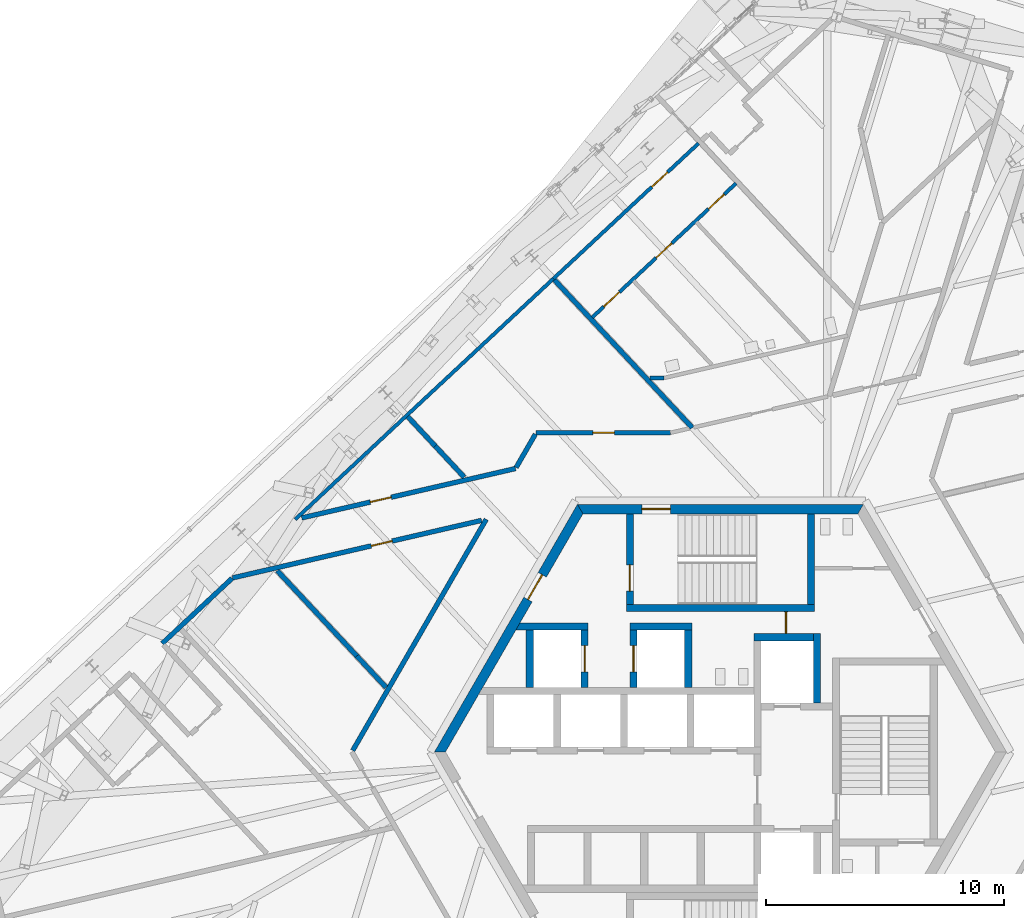
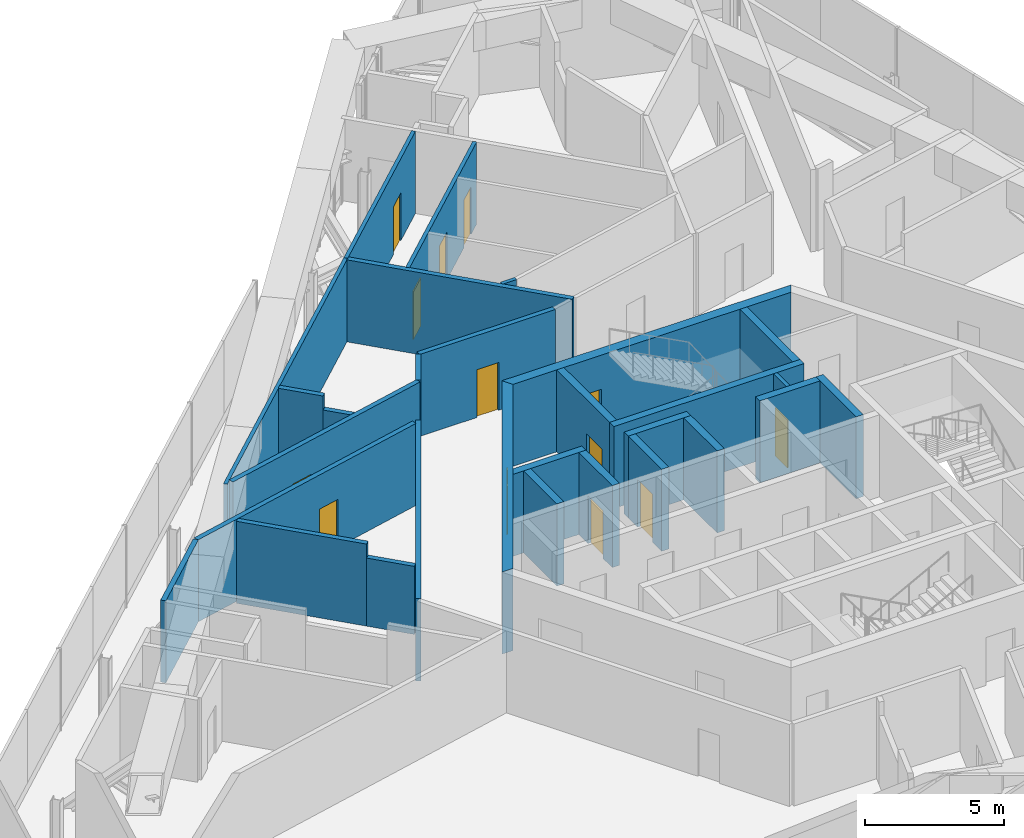
# One storey, part 20 of 31: 29 walls, 13 doors, 13 openings.
"""IFC4 building model written with IfcOpenShell, lengths in metres."""

from ifc_helpers import new_model, si_unit, direction, frame, frame_2d, origin, place, context, subcontext, project, spatial, polyline, rectangle, outline, extrude, source, transform, mapped, material, layer, layer_set, type_object, element, fill, save


model = new_model("IFC4")

# Units and contexts
model_context = context("Model", 3, precision=1e-05, world=origin(), true_north=direction((0.0, 1.0)))
body_context = subcontext(model_context, "Body", "Model", "MODEL_VIEW")
ifc_project = project(units=[si_unit("LENGTHUNIT", "METRE"), si_unit("AREAUNIT", "SQUARE_METRE"), si_unit("VOLUMEUNIT", "CUBIC_METRE"), si_unit("PLANEANGLEUNIT", "RADIAN"), si_unit("MASSUNIT", "GRAM", prefix="KILO")], contexts=[model_context])

# Site, building, storey
site_placement = place(None, origin())
site = spatial("IfcSite", under=ifc_project, at=site_placement, CompositionType="ELEMENT")
building_placement = place(site_placement, origin())
building = spatial("IfcBuilding", under=site, at=building_placement, Name="Triune Harvest Tower", CompositionType="ELEMENT")
storey_placement = place(building_placement, frame((0.0, 0.0, 134.300048828125)))
storey = spatial("IfcBuildingStorey", under=building, at=storey_placement, Name="L34", CompositionType="ELEMENT", Elevation=134.300048828125)

# Wall, opening, door
ifc_material_1 = material(Name="Concrete masonry unit", Category="masonry")
ifc_layer_1 = layer(ifc_material_1, 0.14990234375)
ifc_layer_set_1 = layer_set([ifc_layer_1], Name="Concrete masonry unit")
wall_type_1 = type_object("IfcWallType", Name="Block partition 150 unrated", PredefinedType="PARTITIONING", material=ifc_layer_set_1)
wall_1_placement = place(storey_placement, frame((2.75, 4.9599609375, 0.0), z_axis=(0.0, 0.0, 1.0), x_axis=(0.0, 1.0, 0.0)))
wall_1 = element("IfcWall", 1, at=wall_1_placement, inside=storey, type_object=wall_type_1, Name="Wc men east b wall", PredefinedType="PARTITIONING", context=body_context, shape_type="SweptSolid", body=[
    extrude(rectangle(XDim=0.929931640625, YDim=0.14990234375, at=frame_2d((0.46484375, 0.0))), origin(), (0.0, 0.0, 1.0), 3.599853515625),
])
opening_1_placement = place(wall_1_placement, frame((0.014892578125, 0.0, 0.0)))
opening_1 = element("IfcOpeningElement", 2, at=opening_1_placement, cuts=wall_1, Name="Opening CD-WM", PredefinedType="OPENING", context=body_context, shape_type="SweptSolid", body=[
    extrude(rectangle(XDim=0.89990234375, YDim=2.10009765625, at=frame_2d((0.449951171875, 1.050048828125))), frame((0.0, 0.0849609375, 0.0), z_axis=(0.0, -1.0, 0.0), x_axis=(1.0, 0.0, 0.0)), (0.0, 0.0, 1.0), 0.169921875),
])
ifc_material_2 = material(Name="Timber C24", Category="wood")
door_type_1 = type_object("IfcDoorType", Name="WC door 900", OperationType="SINGLE_SWING_LEFT", PredefinedType="DOOR", material=ifc_material_2)
door_1_placement = place(opening_1_placement, origin())
door_1 = element("IfcDoor", 3, at=door_1_placement, inside=storey, type_object=door_type_1, Name="Door CD-WM", OperationType="SINGLE_SWING_LEFT", OverallHeight=2.10009765625, OverallWidth=0.89990234375, PredefinedType="DOOR", context=body_context, shape_type="SweptSolid", body=[
    extrude(rectangle(XDim=0.89990234375, YDim=2.10009765625, at=frame_2d((0.449951171875, 1.050048828125))), frame((0.0, 0.02490234375, 0.0), z_axis=(0.0, -1.0, 0.0), x_axis=(1.0, 0.0, 0.0)), (0.0, 0.0, 1.0), 0.050048828125),
])
fill(opening_1, door_1)

# Walls
ifc_material_3 = material(Name="Concrete 70 MPa", Category="concrete")
ifc_layer_2 = layer(ifc_material_3, 0.300048828125)
ifc_layer_set_2 = layer_set([ifc_layer_2], Name="Concrete 70 MPa")
wall_type_2 = type_object("IfcWallType", Name="Core wall 300", PredefinedType="SHEAR", material=ifc_layer_set_2)
wall_2_placement = place(storey_placement, frame((4.050048828125, 2.06005859375, 0.0), z_axis=(0.0, 0.0, 1.0), x_axis=(0.0, 1.0, 0.0)))
element("IfcWall", 4, at=wall_2_placement, inside=storey, type_object=wall_type_2, Name="Ff1 east wall", PredefinedType="SHEAR", context=body_context, shape_type="SweptSolid", body=[
    extrude(rectangle(XDim=2.89990234375, YDim=0.300048828125, at=frame_2d((1.449951171875, 0.0))), origin(), (0.0, 0.0, 1.0), 3.599853515625),
])
wall_3_placement = place(storey_placement, frame((-3.949951171875, 6.0400390625, 0.0), z_axis=(0.0, 0.0, 1.0), x_axis=(1.0, 0.0, 0.0)))
element("IfcWall", 5, at=wall_3_placement, inside=storey, type_object=wall_type_2, Name="Stair n south wall", PredefinedType="SHEAR", context=body_context, shape_type="SweptSolid", body=[
    extrude(rectangle(XDim=7.89990234375, YDim=0.300048828125, at=frame_2d((3.949951171875, 0.0))), origin(), (0.0, 0.0, 1.0), 3.599853515625),
])
wall_4_placement = place(storey_placement, frame((-8.14990234375, 5.260009765625, 0.0), z_axis=(0.0, 0.0, 1.0), x_axis=(1.0, 0.0, 0.0)))
element("IfcWall", 6, at=wall_4_placement, inside=storey, type_object=wall_type_2, Name="Sv1 north wall", PredefinedType="SHEAR", context=body_context, shape_type="SweptSolid", body=[
    extrude(outline(polyline([(2.60009765625, -0.14990234375), (-0.440185546875, -0.14990234375), (-0.26708984375, 0.14990234375), (2.60009765625, 0.14990234375), (2.60009765625, -0.14990234375)])), origin(), (0.0, 0.0, 1.0), 3.599853515625),
])
wall_5_placement = place(storey_placement, frame((-3.800048828125, 5.260009765625, 0.0), z_axis=(0.0, 0.0, 1.0), x_axis=(1.0, 0.0, 0.0)))
element("IfcWall", 7, at=wall_5_placement, inside=storey, type_object=wall_type_2, Name="Sv2 north wall", PredefinedType="SHEAR", context=body_context, shape_type="SweptSolid", body=[
    extrude(rectangle(XDim=2.60009765625, YDim=0.300048828125, at=frame_2d((1.300048828125, 0.0))), origin(), (0.0, 0.0, 1.0), 3.599853515625),
])
ifc_material_4 = material(Name="Gypsum board on steel studs", Category="steel")
ifc_layer_3 = layer(ifc_material_4, 0.14990234375)
ifc_layer_set_3 = layer_set([ifc_layer_3], Name="Gypsum board on steel studs")
wall_type_3 = type_object("IfcWallType", Name="Fire Partition 150 mm", PredefinedType="PARTITIONING", material=ifc_layer_set_3)
wall_6_placement = place(storey_placement, frame((-2.947998046875, 15.6923828125, 0.0), z_axis=(0.0, 0.0, 1.0), x_axis=(1.0, 0.0, 0.0)))
element("IfcWall", 8, at=wall_6_placement, inside=storey, type_object=wall_type_3, Name="Partition L34 032", PredefinedType="PARTITIONING", context=body_context, shape_type="SweptSolid", body=[
    extrude(rectangle(XDim=0.585205078125, YDim=0.14990234375, at=frame_2d((0.29248046875, 0.0))), origin(), (0.0, 0.0, 1.0), 3.599853515625),
])

# Wall, openings, doors
wall_7_placement = place(storey_placement, frame((-5.38427734375, 18.2294921875, 0.0), z_axis=(0.0, 0.0, 1.0), x_axis=(0.731358135284, 0.681993605508, 0.0)))
wall_7 = element("IfcWall", 9, at=wall_7_placement, inside=storey, type_object=wall_type_3, Name="Partition L34 052", PredefinedType="PARTITIONING", context=body_context, shape_type="SweptSolid", body=[
    extrude(rectangle(XDim=8.25439453125, YDim=0.14990234375, at=frame_2d((4.127197265625, 0.0))), origin(), (0.0, 0.0, 1.0), 3.599853515625),
])
opening_2_placement = place(wall_7_placement, frame((6.678466796875, 0.0, 0.0)))
opening_2 = element("IfcOpeningElement", 10, at=opening_2_placement, cuts=wall_7, Name="Opening L34-011", PredefinedType="OPENING", context=body_context, shape_type="SweptSolid", body=[
    extrude(rectangle(XDim=0.89990234375, YDim=2.10009765625, at=frame_2d((0.449951171875, 1.050048828125))), frame((0.0, 0.0849609375, 0.0), z_axis=(0.0, -1.0, 0.0), x_axis=(1.0, 0.0, 0.0)), (0.0, 0.0, 1.0), 0.169921875),
])
opening_3_placement = place(wall_7_placement, frame((3.669921875, 0.0, 0.0)))
opening_3 = element("IfcOpeningElement", 11, at=opening_3_placement, cuts=wall_7, Name="Opening L34-012", PredefinedType="OPENING", context=body_context, shape_type="SweptSolid", body=[
    extrude(rectangle(XDim=0.89990234375, YDim=2.10009765625, at=frame_2d((0.449951171875, 1.050048828125))), frame((0.0, 0.0849609375, 0.0), z_axis=(0.0, -1.0, 0.0), x_axis=(1.0, 0.0, 0.0)), (0.0, 0.0, 1.0), 0.169921875),
])
opening_4_placement = place(wall_7_placement, frame((0.669921875, 0.0, 0.0)))
opening_4 = element("IfcOpeningElement", 12, at=opening_4_placement, cuts=wall_7, Name="Opening L34-013", PredefinedType="OPENING", context=body_context, shape_type="SweptSolid", body=[
    extrude(rectangle(XDim=0.89990234375, YDim=2.10009765625, at=frame_2d((0.449951171875, 1.050048828125))), frame((0.0, 0.0849609375, 0.0), z_axis=(0.0, -1.0, 0.0), x_axis=(1.0, 0.0, 0.0)), (0.0, 0.0, 1.0), 0.169921875),
])
ifc_material_5 = material(Name="Timber and steel door set", Category="steel")
door_type_2 = type_object("IfcDoorType", Name="Single leaf door FD30 left hand 900 x 2100", OperationType="SINGLE_SWING_LEFT", PredefinedType="DOOR", material=ifc_material_5)
door_2_placement = place(opening_2_placement, origin())
door_2 = element("IfcDoor", 13, at=door_2_placement, inside=storey, type_object=door_type_2, Name="Door L34-011 Women's WC 34.11", OperationType="SINGLE_SWING_LEFT", OverallHeight=2.10009765625, OverallWidth=0.89990234375, PredefinedType="DOOR", context=body_context, shape_type="SweptSolid", body=[
    extrude(rectangle(XDim=0.89990234375, YDim=2.10009765625, at=frame_2d((0.449951171875, 1.050048828125))), frame((0.0, 0.02490234375, 0.0), z_axis=(0.0, -1.0, 0.0), x_axis=(1.0, 0.0, 0.0)), (0.0, 0.0, 1.0), 0.050048828125),
])
fill(opening_2, door_2)
ifc_material_6 = material(Name="Timber and steel door set", Category="steel")
door_type_3 = type_object("IfcDoorType", Name="Single leaf door FD30 right hand 900 x 2100", OperationType="SINGLE_SWING_RIGHT", PredefinedType="DOOR", material=ifc_material_6)
door_3_placement = place(opening_3_placement, origin())
door_3 = element("IfcDoor", 14, at=door_3_placement, inside=storey, type_object=door_type_3, Name="Door L34-012 Men's WC 34.12", OperationType="SINGLE_SWING_RIGHT", OverallHeight=2.10009765625, OverallWidth=0.89990234375, PredefinedType="DOOR", context=body_context, shape_type="SweptSolid", body=[
    extrude(rectangle(XDim=0.89990234375, YDim=2.10009765625, at=frame_2d((0.449951171875, 1.050048828125))), frame((0.0, 0.02490234375, 0.0), z_axis=(0.0, -1.0, 0.0), x_axis=(1.0, 0.0, 0.0)), (0.0, 0.0, 1.0), 0.050048828125),
])
fill(opening_3, door_3)
door_4_placement = place(opening_4_placement, origin())
door_4 = element("IfcDoor", 15, at=door_4_placement, inside=storey, type_object=door_type_3, Name="Door L34-013 Accessible WC 34.13", OperationType="SINGLE_SWING_RIGHT", OverallHeight=2.10009765625, OverallWidth=0.89990234375, PredefinedType="DOOR", context=body_context, shape_type="SweptSolid", body=[
    extrude(rectangle(XDim=0.89990234375, YDim=2.10009765625, at=frame_2d((0.449951171875, 1.050048828125))), frame((0.0, 0.02490234375, 0.0), z_axis=(0.0, -1.0, 0.0), x_axis=(1.0, 0.0, 0.0)), (0.0, 0.0, 1.0), 0.050048828125),
])
fill(opening_4, door_4)

# Wall
wall_8_placement = place(storey_placement, frame((-17.8408203125, 9.75830078125, 0.0), z_axis=(0.0, 0.0, 1.0), x_axis=(0.731353408182, 0.681998674735, 0.0)))
element("IfcWall", 16, at=wall_8_placement, inside=storey, type_object=wall_type_3, Name="Partition L34 056", PredefinedType="PARTITIONING", context=body_context, shape_type="SweptSolid", body=[
    extrude(rectangle(XDim=14.810302734375, YDim=0.14990234375, at=frame_2d((7.4052734375, 0.0))), origin(), (0.0, 0.0, 1.0), 3.599853515625),
])

# Wall, opening, door
wall_9_placement = place(storey_placement, frame((-7.00927734375, 19.85888671875, 0.0), z_axis=(0.0, 0.0, 1.0), x_axis=(0.731353430588, 0.681998650708, 0.0)))
wall_9 = element("IfcWall", 17, at=wall_9_placement, inside=storey, type_object=wall_type_3, Name="Partition L34 057", PredefinedType="PARTITIONING", context=body_context, shape_type="SweptSolid", body=[
    extrude(rectangle(XDim=8.330078125, YDim=0.14990234375, at=frame_2d((4.1650390625, 0.0))), origin(), (0.0, 0.0, 1.0), 3.599853515625),
])
opening_5_placement = place(wall_9_placement, frame((5.64697265625, 0.0, 0.0)))
opening_5 = element("IfcOpeningElement", 18, at=opening_5_placement, cuts=wall_9, Name="Opening L34-010", PredefinedType="OPENING", context=body_context, shape_type="SweptSolid", body=[
    extrude(rectangle(XDim=0.89990234375, YDim=2.10009765625, at=frame_2d((0.449951171875, 1.050048828125))), frame((0.0, 0.0849609375, 0.0), z_axis=(0.0, -1.0, 0.0), x_axis=(1.0, 0.0, 0.0)), (0.0, 0.0, 1.0), 0.169921875),
])
door_5_placement = place(opening_5_placement, origin())
door_5 = element("IfcDoor", 19, at=door_5_placement, inside=storey, type_object=door_type_2, Name="Door L34-010 WC lobby 34.10", OperationType="SINGLE_SWING_LEFT", OverallHeight=2.10009765625, OverallWidth=0.89990234375, PredefinedType="DOOR", context=body_context, shape_type="SweptSolid", body=[
    extrude(rectangle(XDim=0.89990234375, YDim=2.10009765625, at=frame_2d((0.449951171875, 1.050048828125))), frame((0.0, 0.02490234375, 0.0), z_axis=(0.0, -1.0, 0.0), x_axis=(1.0, 0.0, 0.0)), (0.0, 0.0, 1.0), 0.050048828125),
])
fill(opening_5, door_5)

# Walls
ifc_material_7 = material(Name="Gypsum board on steel studs", Category="steel")
ifc_layer_4 = layer(ifc_material_7, 0.199951171875)
ifc_layer_set_4 = layer_set([ifc_layer_4], Name="Gypsum board on steel studs")
wall_type_4 = type_object("IfcWallType", Name="Fire Wall 200 mm", PredefinedType="PARTITIONING", material=ifc_layer_set_4)
wall_10_placement = place(storey_placement, frame((-18.595703125, 7.603515625, 0.0), z_axis=(0.0, 0.0, 1.0), x_axis=(0.681996658711, -0.731355288152, 0.0)))
element("IfcWall", 20, at=wall_10_placement, inside=storey, type_object=wall_type_4, Name="Partition L34 014", PredefinedType="PARTITIONING", context=body_context, shape_type="SweptSolid", body=[
    extrude(rectangle(XDim=4.896728515625, YDim=0.199951171875, at=frame_2d((2.4482421875, 0.0))), origin(), (0.0, 0.0, 1.0), 3.599853515625),
])
wall_11_placement = place(storey_placement, frame((-15.256103515625, 4.022216796875, 0.0), z_axis=(0.0, 0.0, 1.0), x_axis=(0.682056485414, -0.731299494533, 0.0)))
element("IfcWall", 21, at=wall_11_placement, inside=storey, type_object=wall_type_4, Name="Partition L34 014a", PredefinedType="PARTITIONING", context=body_context, shape_type="SweptSolid", body=[
    extrude(rectangle(XDim=1.794677734375, YDim=0.199951171875, at=frame_2d((0.8974609375, 0.0))), origin(), (0.0, 0.0, 1.0), 2.98779296875),
])
wall_12_placement = place(storey_placement, frame((-13.12451171875, 14.074462890625, 0.0), z_axis=(0.0, 0.0, 1.0), x_axis=(0.681983769469, -0.731367307296, 0.0)))
element("IfcWall", 22, at=wall_12_placement, inside=storey, type_object=wall_type_4, Name="Partition L34 015", PredefinedType="PARTITIONING", context=body_context, shape_type="SweptSolid", body=[
    extrude(rectangle(XDim=1.690673828125, YDim=0.199951171875, at=frame_2d((0.84521484375, 0.0))), origin(), (0.0, 0.0, 1.0), 3.599853515625),
])
wall_13_placement = place(storey_placement, frame((-11.971435546875, 12.837890625, 0.0), z_axis=(0.0, 0.0, 1.0), x_axis=(0.68206066417, -0.731295597137, 0.0)))
element("IfcWall", 23, at=wall_13_placement, inside=storey, type_object=wall_type_4, Name="Partition L34 015a", PredefinedType="PARTITIONING", context=body_context, shape_type="SweptSolid", body=[
    extrude(rectangle(XDim=1.7900390625, YDim=0.199951171875, at=frame_2d((0.89501953125, 0.0))), origin(), (0.0, 0.0, 1.0), 2.98779296875),
])
wall_14_placement = place(storey_placement, frame((-6.970703125, 19.81298828125, 0.0), z_axis=(0.0, 0.0, 1.0), x_axis=(0.681985151415, -0.73136601866, 0.0)))
element("IfcWall", 24, at=wall_14_placement, inside=storey, type_object=wall_type_4, Name="Partition L34 017", PredefinedType="PARTITIONING", context=body_context, shape_type="SweptSolid", body=[
    extrude(rectangle(XDim=8.489013671875, YDim=0.199951171875, at=frame_2d((4.24462890625, 0.0))), origin(), (0.0, 0.0, 1.0), 3.599853515625),
])

# Wall, opening, door
wall_15_placement = place(storey_placement, frame((-7.732177734375, 13.392333984375, 0.0), z_axis=(0.0, 0.0, 1.0), x_axis=(1.0, 0.0, 0.0)))
wall_15 = element("IfcWall", 25, at=wall_15_placement, inside=storey, type_object=wall_type_4, Name="Partition L34 031", PredefinedType="PARTITIONING", context=body_context, shape_type="SweptSolid", body=[
    extrude(rectangle(XDim=5.631591796875, YDim=0.199951171875, at=frame_2d((2.81591796875, 0.0))), origin(), (0.0, 0.0, 1.0), 3.599853515625),
])
opening_6_placement = place(wall_15_placement, frame((2.38134765625, 0.0, 0.0)))
opening_6 = element("IfcOpeningElement", 26, at=opening_6_placement, cuts=wall_15, Name="Opening L34-015", PredefinedType="OPENING", context=body_context, shape_type="SweptSolid", body=[
    extrude(rectangle(XDim=0.89990234375, YDim=2.10009765625, at=frame_2d((0.449951171875, 1.050048828125))), frame((0.0, 0.10986328125, 0.0), z_axis=(0.0, -1.0, 0.0), x_axis=(1.0, 0.0, 0.0)), (0.0, 0.0, 1.0), 0.219970703125),
])
ifc_material_8 = material(Name="Timber and steel door set", Category="steel")
door_type_4 = type_object("IfcDoorType", Name="Single leaf door FD60 right hand 900 x 2100", OperationType="SINGLE_SWING_RIGHT", PredefinedType="DOOR", material=ifc_material_8)
door_6_placement = place(opening_6_placement, origin())
door_6 = element("IfcDoor", 27, at=door_6_placement, inside=storey, type_object=door_type_4, Name="Door L34-015 Air Handling Plant Room 34.15", OperationType="SINGLE_SWING_RIGHT", OverallHeight=2.10009765625, OverallWidth=0.89990234375, PredefinedType="DOOR", context=body_context, shape_type="SweptSolid", body=[
    extrude(rectangle(XDim=0.89990234375, YDim=2.10009765625, at=frame_2d((0.449951171875, 1.050048828125))), frame((0.0, 0.02490234375, 0.0), z_axis=(0.0, -1.0, 0.0), x_axis=(1.0, 0.0, 0.0)), (0.0, 0.0, 1.0), 0.050048828125),
])
fill(opening_6, door_6)

wall_16_placement = place(storey_placement, frame((-20.4736328125, 7.30322265625, 0.0), z_axis=(0.0, 0.0, 1.0), x_axis=(0.974370474182, 0.224949281045, 0.0)))
wall_16 = element("IfcWall", 28, at=wall_16_placement, inside=storey, type_object=wall_type_4, Name="Partition L34 039", PredefinedType="PARTITIONING", context=body_context, shape_type="SweptSolid", body=[
    extrude(rectangle(XDim=10.72509765625, YDim=0.199951171875, at=frame_2d((5.362548828125, 0.0))), origin(), (0.0, 0.0, 1.0), 3.599853515625),
])
opening_7_placement = place(wall_16_placement, frame((5.972412109375, 0.0, 0.0)))
opening_7 = element("IfcOpeningElement", 29, at=opening_7_placement, cuts=wall_16, Name="Opening L34-016", PredefinedType="OPENING", context=body_context, shape_type="SweptSolid", body=[
    extrude(rectangle(XDim=0.89990234375, YDim=2.10009765625, at=frame_2d((0.449951171875, 1.050048828125))), frame((0.0, 0.10986328125, 0.0), z_axis=(0.0, -1.0, 0.0), x_axis=(1.0, 0.0, 0.0)), (0.0, 0.0, 1.0), 0.219970703125),
])
ifc_material_9 = material(Name="Timber and steel door set", Category="steel")
door_type_5 = type_object("IfcDoorType", Name="Single leaf door FD60 left hand 900 x 2100", OperationType="SINGLE_SWING_LEFT", PredefinedType="DOOR", material=ifc_material_9)
door_7_placement = place(opening_7_placement, origin())
door_7 = element("IfcDoor", 30, at=door_7_placement, inside=storey, type_object=door_type_5, Name="Door L34-016 Stair Pressurisation Fan Room 34.16", OperationType="SINGLE_SWING_LEFT", OverallHeight=2.10009765625, OverallWidth=0.89990234375, PredefinedType="DOOR", context=body_context, shape_type="SweptSolid", body=[
    extrude(rectangle(XDim=0.89990234375, YDim=2.10009765625, at=frame_2d((0.449951171875, 1.050048828125))), frame((0.0, 0.02490234375, 0.0), z_axis=(0.0, -1.0, 0.0), x_axis=(1.0, 0.0, 0.0)), (0.0, 0.0, 1.0), 0.050048828125),
])
fill(opening_7, door_7)

wall_17_placement = place(storey_placement, frame((-17.56787109375, 9.821533203125, 0.0), z_axis=(0.0, 0.0, 1.0), x_axis=(0.974371972572, 0.224942790652, 0.0)))
wall_17 = element("IfcWall", 31, at=wall_17_placement, inside=storey, type_object=wall_type_4, Name="Partition L34 041", PredefinedType="PARTITIONING", context=body_context, shape_type="SweptSolid", body=[
    extrude(rectangle(XDim=9.205810546875, YDim=0.199951171875, at=frame_2d((4.60302734375, 0.0))), origin(), (0.0, 0.0, 1.0), 3.599853515625),
])
opening_8_placement = place(wall_17_placement, frame((2.951416015625, 0.0, 0.0)))
opening_8 = element("IfcOpeningElement", 32, at=opening_8_placement, cuts=wall_17, Name="Opening L34-017", PredefinedType="OPENING", context=body_context, shape_type="SweptSolid", body=[
    extrude(rectangle(XDim=0.89990234375, YDim=2.10009765625, at=frame_2d((0.449951171875, 1.050048828125))), frame((0.0, 0.10986328125, 0.0), z_axis=(0.0, -1.0, 0.0), x_axis=(1.0, 0.0, 0.0)), (0.0, 0.0, 1.0), 0.219970703125),
])
door_8_placement = place(opening_8_placement, origin())
door_8 = element("IfcDoor", 33, at=door_8_placement, inside=storey, type_object=door_type_5, Name="Door L34-017 Switch Room 34.17", OperationType="SINGLE_SWING_LEFT", OverallHeight=2.10009765625, OverallWidth=0.89990234375, PredefinedType="DOOR", context=body_context, shape_type="SweptSolid", body=[
    extrude(rectangle(XDim=0.89990234375, YDim=2.10009765625, at=frame_2d((0.449951171875, 1.050048828125))), frame((0.0, 0.02490234375, 0.0), z_axis=(0.0, -1.0, 0.0), x_axis=(1.0, 0.0, 0.0)), (0.0, 0.0, 1.0), 0.050048828125),
])
fill(opening_8, door_8)

# Walls
wall_18_placement = place(storey_placement, frame((-23.425048828125, 4.55078125, 0.0), z_axis=(0.0, 0.0, 1.0), x_axis=(0.731330855855, 0.682022858323, 0.0)))
element("IfcWall", 34, at=wall_18_placement, inside=storey, type_object=wall_type_4, Name="Partition L34 055", PredefinedType="PARTITIONING", context=body_context, shape_type="SweptSolid", body=[
    extrude(rectangle(XDim=4.005615234375, YDim=0.199951171875, at=frame_2d((2.0029296875, 0.0))), origin(), (0.0, 0.0, 1.0), 3.599853515625),
])
wall_19_placement = place(storey_placement, frame((-15.42919921875, 0.060302734375, 0.0), z_axis=(0.0, 0.0, 1.0), x_axis=(0.500002317265, 0.866024065907, 0.0)))
element("IfcWall", 35, at=wall_19_placement, inside=storey, type_object=wall_type_4, Name="Partition L34 061", PredefinedType="PARTITIONING", context=body_context, shape_type="SweptSolid", body=[
    extrude(rectangle(XDim=11.201171875, YDim=0.199951171875, at=frame_2d((5.6005859375, 0.0))), origin(), (0.0, 0.0, 1.0), 3.599853515625),
])
wall_20_placement = place(storey_placement, frame((-8.572998046875, 11.935791015625, 0.0), z_axis=(0.0, 0.0, 1.0), x_axis=(0.500015196914, 0.866016629664, 0.0)))
element("IfcWall", 36, at=wall_20_placement, inside=storey, type_object=wall_type_4, Name="Partition L34 062", PredefinedType="PARTITIONING", context=body_context, shape_type="SweptSolid", body=[
    extrude(rectangle(XDim=1.6123046875, YDim=0.199951171875, at=frame_2d((0.80615234375, 0.0))), origin(), (0.0, 0.0, 1.0), 3.599853515625),
])

# Wall, opening, door
ifc_material_10 = material(Name="Concrete 70 MPa", Category="concrete")
ifc_layer_5 = layer(ifc_material_10, 0.39990234375)
ifc_layer_set_5 = layer_set([ifc_layer_5], Name="Concrete 70 MPa")
wall_type_5 = type_object("IfcWallType", Name="Core wall 400", PredefinedType="SHEAR", material=ifc_layer_set_5)
shared_shape_1 = source(origin(), body_context, "Body", "SweptSolid", [
    extrude(outline(polyline([(-0.115478515625, -0.199951171875), (11.884521484375, -0.199951171875), (11.653564453125, 0.199951171875), (0.115478515625, 0.199951171875), (-0.115478515625, -0.199951171875)])), origin(), (0.0, 0.0, 1.0), 3.599853515625),
])
wall_21_placement = place(storey_placement, frame((5.884521484375, 10.1923828125, 0.0), z_axis=(0.0, 0.0, 1.0), x_axis=(-1.0, 0.0, 0.0)))
wall_21 = element("IfcWall", 37, at=wall_21_placement, inside=storey, type_object=wall_type_5, Name="Hexagon 1 wall", PredefinedType="SHEAR", context=body_context, shape_type="MappedRepresentation", body=[
    mapped(shared_shape_1, transform((0.0, 0.0, 0.0), scale=1.0)),
])
opening_9_placement = place(wall_21_placement, frame((7.984619140625, 0.0, 0.0)))
opening_9 = element("IfcOpeningElement", 38, at=opening_9_placement, cuts=wall_21, Name="Opening CD-S1P", PredefinedType="OPENING", context=body_context, shape_type="SweptSolid", body=[
    extrude(rectangle(XDim=1.199951171875, YDim=2.10009765625, at=frame_2d((0.60009765625, 1.050048828125))), frame((0.0, 0.2099609375, 0.0), z_axis=(0.0, -1.0, 0.0), x_axis=(1.0, 0.0, 0.0)), (0.0, 0.0, 1.0), 0.419921875),
])
ifc_material_11 = material(Name="Steel S235", Category="steel")
door_type_6 = type_object("IfcDoorType", Name="Stair door 1200 FD120", OperationType="SINGLE_SWING_LEFT", PredefinedType="DOOR", material=ifc_material_11)
door_9_placement = place(opening_9_placement, frame((1.199951171875, 0.0, 0.0), z_axis=(0.0, 0.0, 1.0), x_axis=(-1.0, 0.0, 0.0)))
door_9 = element("IfcDoor", 39, at=door_9_placement, inside=storey, type_object=door_type_6, Name="Door CD-S1P", OperationType="SINGLE_SWING_RIGHT", OverallHeight=2.10009765625, OverallWidth=1.199951171875, PredefinedType="DOOR", context=body_context, shape_type="SweptSolid", body=[
    extrude(rectangle(XDim=1.199951171875, YDim=2.10009765625, at=frame_2d((0.60009765625, 1.050048828125))), frame((0.0, 0.02490234375, 0.0), z_axis=(0.0, -1.0, 0.0), x_axis=(1.0, 0.0, 0.0)), (0.0, 0.0, 1.0), 0.050048828125),
])
fill(opening_9, door_9)

wall_22_placement = place(storey_placement, frame((-5.884521484375, 10.1923828125, 0.0), z_axis=(0.0, 0.0, 1.0), x_axis=(-0.499996592174, -0.866027371285, 0.0)))
wall_22 = element("IfcWall", 40, at=wall_22_placement, inside=storey, type_object=wall_type_5, Name="Hexagon 2 wall", PredefinedType="SHEAR", context=body_context, shape_type="MappedRepresentation", body=[
    mapped(shared_shape_1, transform((0.0, 0.0, 0.0), scale=1.0)),
])
opening_10_placement = place(wall_22_placement, frame((3.1845703125, 0.0, 0.0)))
opening_10 = element("IfcOpeningElement", 41, at=opening_10_placement, cuts=wall_22, Name="Opening CD-SVP", PredefinedType="OPENING", context=body_context, shape_type="SweptSolid", body=[
    extrude(rectangle(XDim=1.199951171875, YDim=2.10009765625, at=frame_2d((0.60009765625, 1.050048828125))), frame((0.0, 0.2099609375, 0.0), z_axis=(0.0, -1.0, 0.0), x_axis=(1.0, 0.0, 0.0)), (0.0, 0.0, 1.0), 0.419921875),
])
ifc_material_12 = material(Name="Steel S235", Category="steel")
door_type_7 = type_object("IfcDoorType", Name="Service door 1200 FD120", OperationType="SINGLE_SWING_LEFT", PredefinedType="DOOR", material=ifc_material_12)
door_10_placement = place(opening_10_placement, frame((1.199951171875, 0.0, 0.0), z_axis=(0.0, 0.0, 1.0), x_axis=(-1.0, 0.0, 0.0)))
door_10 = element("IfcDoor", 42, at=door_10_placement, inside=storey, type_object=door_type_7, Name="Door CD-SVP", OperationType="SINGLE_SWING_RIGHT", OverallHeight=2.10009765625, OverallWidth=1.199951171875, PredefinedType="DOOR", context=body_context, shape_type="SweptSolid", body=[
    extrude(rectangle(XDim=1.199951171875, YDim=2.10009765625, at=frame_2d((0.60009765625, 1.050048828125))), frame((0.0, 0.02490234375, 0.0), z_axis=(0.0, -1.0, 0.0), x_axis=(1.0, 0.0, 0.0)), (0.0, 0.0, 1.0), 0.050048828125),
])
fill(opening_10, door_10)

# Wall
shared_shape_2 = source(origin(), body_context, "Body", "SweptSolid", [
    extrude(rectangle(XDim=2.5, YDim=0.300048828125, at=frame_2d((1.25, 0.0))), origin(), (0.0, 0.0, 1.0), 3.599853515625),
])
wall_23_placement = place(storey_placement, frame((1.39990234375, 4.81005859375, 0.0), z_axis=(0.0, 0.0, 1.0), x_axis=(1.0, 0.0, 0.0)))
element("IfcWall", 43, at=wall_23_placement, inside=storey, type_object=wall_type_2, Name="Ff1 back wall", PredefinedType="SHEAR", context=body_context, shape_type="MappedRepresentation", body=[
    mapped(shared_shape_2, transform((0.0, 0.0, 0.0), scale=1.0)),
])

# Wall, opening, door
shared_shape_3 = source(origin(), body_context, "Body", "SweptSolid", [
    extrude(outline(polyline([(0.0, -0.14990234375), (0.0, 0.14990234375), (3.80419921875, 0.14990234375), (3.80419921875, -0.14990234375), (0.0, -0.14990234375)])), origin(), (0.0, 0.0, 1.0), 3.599853515625),
])
wall_24_placement = place(storey_placement, frame((-3.800048828125, 6.18994140625, 0.0), z_axis=(0.0, 0.0, 1.0), x_axis=(0.0, 1.0, 0.0)))
wall_24 = element("IfcWall", 44, at=wall_24_placement, inside=storey, type_object=wall_type_2, Name="Stair n west wall", PredefinedType="SHEAR", context=body_context, shape_type="MappedRepresentation", body=[
    mapped(shared_shape_3, transform((0.0, 0.0, 0.0), scale=1.0)),
])
opening_11_placement = place(wall_24_placement, frame((0.56005859375, 0.0, 0.0)))
opening_11 = element("IfcOpeningElement", 45, at=opening_11_placement, cuts=wall_24, Name="Opening CD-S1L", PredefinedType="OPENING", context=body_context, shape_type="SweptSolid", body=[
    extrude(rectangle(XDim=1.10009765625, YDim=2.10009765625, at=frame_2d((0.550048828125, 1.050048828125))), frame((0.0, 0.16015625, 0.0), z_axis=(0.0, -1.0, 0.0), x_axis=(1.0, 0.0, 0.0)), (0.0, 0.0, 1.0), 0.320068359375),
])
ifc_material_13 = material(Name="Steel S235", Category="steel")
door_type_8 = type_object("IfcDoorType", Name="Stair door 1100 FD120", OperationType="SINGLE_SWING_LEFT", PredefinedType="DOOR", material=ifc_material_13)
door_11_placement = place(opening_11_placement, frame((1.10009765625, 0.0, 0.0), z_axis=(0.0, 0.0, 1.0), x_axis=(-1.0, 0.0, 0.0)))
door_11 = element("IfcDoor", 46, at=door_11_placement, inside=storey, type_object=door_type_8, Name="Door CD-S1L", OperationType="SINGLE_SWING_RIGHT", OverallHeight=2.10009765625, OverallWidth=1.10009765625, PredefinedType="DOOR", context=body_context, shape_type="SweptSolid", body=[
    extrude(rectangle(XDim=1.10009765625, YDim=2.10009765625, at=frame_2d((0.550048828125, 1.050048828125))), frame((0.0, 0.02490234375, 0.0), z_axis=(0.0, -1.0, 0.0), x_axis=(1.0, 0.0, 0.0)), (0.0, 0.0, 1.0), 0.050048828125),
])
fill(opening_11, door_11)

# Walls
wall_25_placement = place(storey_placement, frame((3.800048828125, 6.18994140625, 0.0), z_axis=(0.0, 0.0, 1.0), x_axis=(0.0, 1.0, 0.0)))
element("IfcWall", 47, at=wall_25_placement, inside=storey, type_object=wall_type_2, Name="Stair n east wall", PredefinedType="SHEAR", context=body_context, shape_type="MappedRepresentation", body=[
    mapped(shared_shape_3, transform((0.0, 0.0, 0.0), scale=1.0)),
])
shared_shape_4 = source(origin(), body_context, "Body", "SweptSolid", [
    extrude(rectangle(XDim=2.400146484375, YDim=0.300048828125, at=frame_2d((1.2001953125, 0.0))), origin(), (0.0, 0.0, 1.0), 3.599853515625),
])
wall_26_placement = place(storey_placement, frame((-8.0, 2.7099609375, 0.0), z_axis=(0.0, 0.0, 1.0), x_axis=(0.0, 1.0, 0.0)))
element("IfcWall", 48, at=wall_26_placement, inside=storey, type_object=wall_type_2, Name="Sv1 west wall", PredefinedType="SHEAR", context=body_context, shape_type="MappedRepresentation", body=[
    mapped(shared_shape_4, transform((0.0, 0.0, 0.0), scale=1.0)),
])

# Wall, opening, door
wall_27_placement = place(storey_placement, frame((-5.699951171875, 2.7099609375, 0.0), z_axis=(0.0, 0.0, 1.0), x_axis=(0.0, 1.0, 0.0)))
wall_27 = element("IfcWall", 49, at=wall_27_placement, inside=storey, type_object=wall_type_2, Name="Sv1 east wall", PredefinedType="SHEAR", context=body_context, shape_type="MappedRepresentation", body=[
    mapped(shared_shape_4, transform((0.0, 0.0, 0.0), scale=1.0)),
])
opening_12_placement = place(wall_27_placement, frame((0.64990234375, 0.0, 0.0)))
opening_12 = element("IfcOpeningElement", 50, at=opening_12_placement, cuts=wall_27, Name="Opening LD-SV1-34", PredefinedType="OPENING", context=body_context, shape_type="SweptSolid", body=[
    extrude(rectangle(XDim=1.10009765625, YDim=2.10009765625, at=frame_2d((0.550048828125, 1.050048828125))), frame((0.0, 0.16015625, 0.0), z_axis=(0.0, -1.0, 0.0), x_axis=(1.0, 0.0, 0.0)), (0.0, 0.0, 1.0), 0.320068359375),
])
ifc_material_14 = material(Name="Stainless steel AISI 304", Category="steel")
door_type_9 = type_object("IfcDoorType", Name="Landing door 1100 x 2100", OperationType="DOUBLE_DOOR_SLIDING", PredefinedType="DOOR", material=ifc_material_14)
door_12_placement = place(opening_12_placement, origin())
door_12 = element("IfcDoor", 51, at=door_12_placement, inside=storey, type_object=door_type_9, Name="Door LD-SV1-34", OperationType="DOUBLE_DOOR_SLIDING", OverallHeight=2.10009765625, OverallWidth=1.10009765625, PredefinedType="DOOR", context=body_context, shape_type="SweptSolid", body=[
    extrude(rectangle(XDim=1.10009765625, YDim=2.10009765625, at=frame_2d((0.550048828125, 1.050048828125))), frame((0.0, 0.02490234375, 0.0), z_axis=(0.0, -1.0, 0.0), x_axis=(1.0, 0.0, 0.0)), (0.0, 0.0, 1.0), 0.050048828125),
])
fill(opening_12, door_12)

wall_28_placement = place(storey_placement, frame((-3.64990234375, 2.7099609375, 0.0), z_axis=(0.0, 0.0, 1.0), x_axis=(0.0, 1.0, 0.0)))
wall_28 = element("IfcWall", 52, at=wall_28_placement, inside=storey, type_object=wall_type_2, Name="Sv2 west wall", PredefinedType="SHEAR", context=body_context, shape_type="MappedRepresentation", body=[
    mapped(shared_shape_4, transform((0.0, 0.0, 0.0), scale=1.0)),
])
opening_13_placement = place(wall_28_placement, frame((0.64990234375, 0.0, 0.0)))
opening_13 = element("IfcOpeningElement", 53, at=opening_13_placement, cuts=wall_28, Name="Opening LD-SV2-34", PredefinedType="OPENING", context=body_context, shape_type="SweptSolid", body=[
    extrude(rectangle(XDim=1.10009765625, YDim=2.10009765625, at=frame_2d((0.550048828125, 1.050048828125))), frame((0.0, 0.16015625, 0.0), z_axis=(0.0, -1.0, 0.0), x_axis=(1.0, 0.0, 0.0)), (0.0, 0.0, 1.0), 0.320068359375),
])
door_13_placement = place(opening_13_placement, origin())
door_13 = element("IfcDoor", 54, at=door_13_placement, inside=storey, type_object=door_type_9, Name="Door LD-SV2-34", OperationType="DOUBLE_DOOR_SLIDING", OverallHeight=2.10009765625, OverallWidth=1.10009765625, PredefinedType="DOOR", context=body_context, shape_type="SweptSolid", body=[
    extrude(rectangle(XDim=1.10009765625, YDim=2.10009765625, at=frame_2d((0.550048828125, 1.050048828125))), frame((0.0, 0.02490234375, 0.0), z_axis=(0.0, -1.0, 0.0), x_axis=(1.0, 0.0, 0.0)), (0.0, 0.0, 1.0), 0.050048828125),
])
fill(opening_13, door_13)

# Wall
wall_29_placement = place(storey_placement, frame((-1.35009765625, 2.7099609375, 0.0), z_axis=(0.0, 0.0, 1.0), x_axis=(0.0, 1.0, 0.0)))
element("IfcWall", 55, at=wall_29_placement, inside=storey, type_object=wall_type_2, Name="Sv2 east wall", PredefinedType="SHEAR", context=body_context, shape_type="MappedRepresentation", body=[
    mapped(shared_shape_4, transform((0.0, 0.0, 0.0), scale=1.0)),
])

save(model, "model.ifc")
